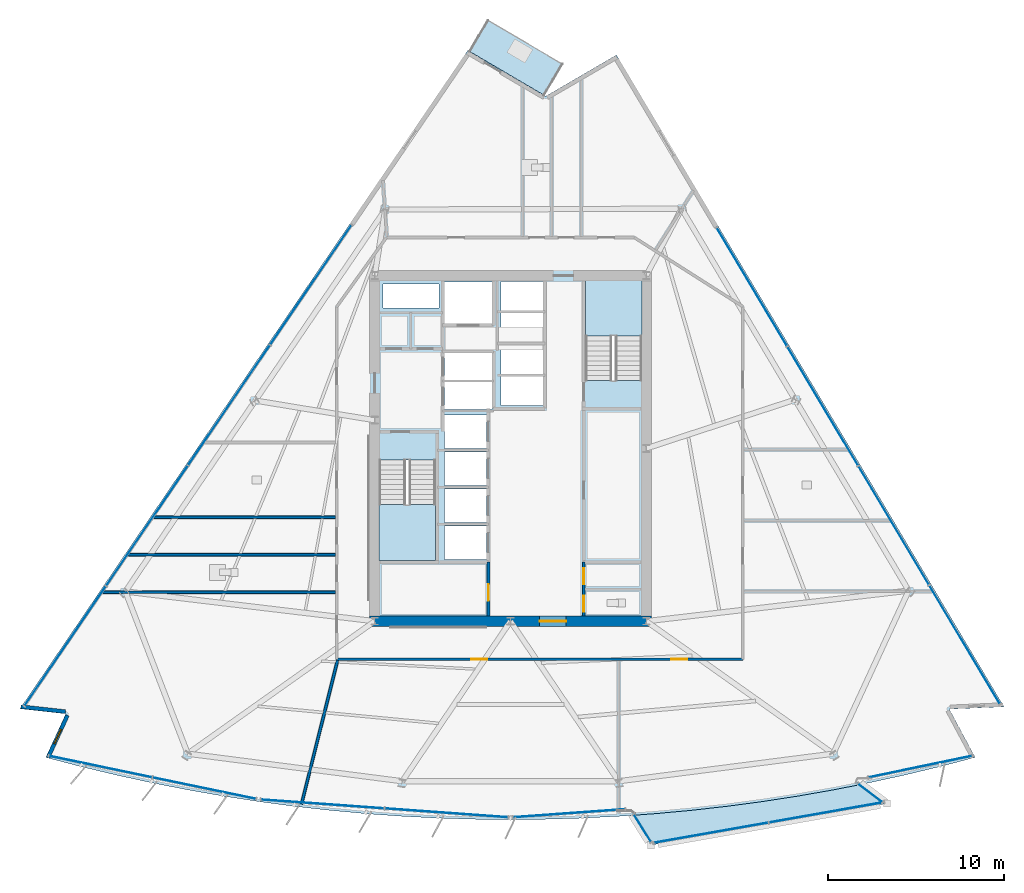
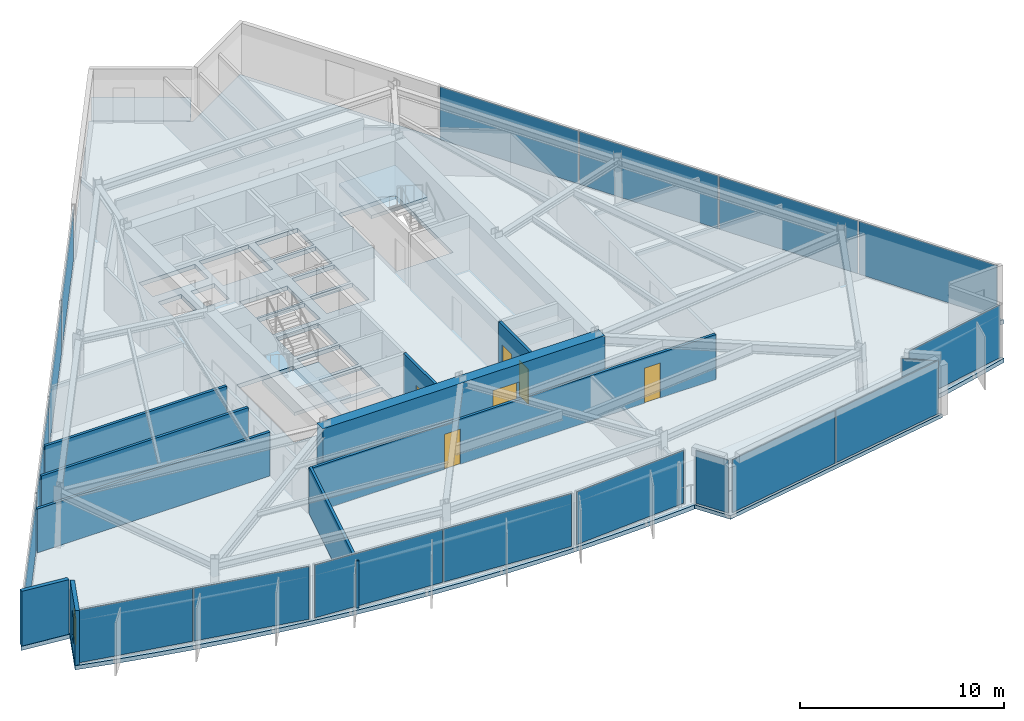
# One storey, part 7 of 15: 18 plates, 10 walls, 6 doors, 5 slabs, 1 window, 7 openings, 11 elements without a shape of their own.
"""IFC4 building model written with IfcOpenShell, lengths in metres."""

from ifc_helpers import new_model, si_unit, direction, frame, frame_2d, origin, origin_2d, place, context, subcontext, project, spatial, polyline, rectangle, outline, extrude, material, layer, layer_set, type_object, element, fill, aggregate, save


model = new_model("IFC4")

# Units and contexts
model_context = context("Model", 3, precision=1e-05, world=origin(), true_north=direction((0.0, 1.0)))
body_context = subcontext(model_context, "Body", "Model", "MODEL_VIEW")
ifc_project = project(units=[si_unit("LENGTHUNIT", "METRE"), si_unit("AREAUNIT", "SQUARE_METRE"), si_unit("VOLUMEUNIT", "CUBIC_METRE"), si_unit("PLANEANGLEUNIT", "RADIAN"), si_unit("MASSUNIT", "GRAM", prefix="KILO")], contexts=[model_context])

# Site, building, storey
site_placement = place(None, origin())
site = spatial("IfcSite", under=ifc_project, at=site_placement, CompositionType="ELEMENT")
building_placement = place(site_placement, origin())
building = spatial("IfcBuilding", under=site, at=building_placement, Name="Savorim Split Tower", CompositionType="ELEMENT")
storey_placement = place(building_placement, frame((0.0, 0.0, 125.699951171875)))
storey = spatial("IfcBuildingStorey", under=building, at=storey_placement, Name="L33", CompositionType="ELEMENT", Elevation=125.699951171875)

# Curtain wall, plates
ifc_material_1 = material(Name="Dark Ceramic-Fritted Insulated Glass", Category="glass")
curtain_wall_type_1 = type_object("IfcCurtainWallType", Name="CW-TWR-FRIT-A", PredefinedType="NOTDEFINED", material=ifc_material_1)
curtain_wall_1_placement = place(storey_placement, origin())
curtain_wall_1 = element("IfcCurtainWall", 1, at=curtain_wall_1_placement, inside=storey, type_object=curtain_wall_type_1, Name="L33 Curtain Wall CW-L33-SF1A", PredefinedType="NOTDEFINED")
ifc_layer_1 = layer(ifc_material_1, 0.028076171875)
ifc_layer_set_1 = layer_set([ifc_layer_1], Name="CWP-FRITA-28")
plate_type_1 = type_object("IfcPlateType", Name="CWP-FRITA-28", PredefinedType="CURTAIN_PANEL", material=ifc_layer_set_1)
plate_1_placement = place(storey_placement, frame((-23.2548828125, -17.645751953125, 0.05517578125), z_axis=(0.0, 0.0, 1.0), x_axis=(0.979133868491, -0.203216307351, 0.0)))
plate_1 = element("IfcPlate", 2, at=plate_1_placement, type_object=plate_type_1, Name="CW-02 panel 1.1", PredefinedType="CURTAIN_PANEL", context=body_context, shape_type="SweptSolid", body=[
    extrude(rectangle(XDim=5.952880859375, YDim=0.028076171875, at=origin_2d()), origin(), (0.0, 0.0, 1.0), 3.169921875),
])
plate_2_placement = place(storey_placement, frame((-17.362548828125, -18.86865234375, 0.05517578125), z_axis=(0.0, 0.0, 1.0), x_axis=(0.979133868491, -0.203216307351, 0.0)))
plate_2 = element("IfcPlate", 3, at=plate_2_placement, type_object=plate_type_1, Name="CW-02 panel 2.1", PredefinedType="CURTAIN_PANEL", context=body_context, shape_type="SweptSolid", body=[
    extrude(rectangle(XDim=5.952880859375, YDim=0.028076171875, at=origin_2d()), origin(), (0.0, 0.0, 1.0), 3.169921875),
])
aggregate(curtain_wall_1, [plate_1, plate_2])

curtain_wall_2_placement = place(storey_placement, origin())
curtain_wall_2 = element("IfcCurtainWall", 4, at=curtain_wall_2_placement, inside=storey, type_object=curtain_wall_type_1, Name="L33 Curtain Wall CW-L33-SF2A", PredefinedType="NOTDEFINED")
plate_3_placement = place(storey_placement, frame((-10.65869140625, -19.766357421875, 0.05517578125), z_axis=(0.0, 0.0, 1.0), x_axis=(0.997436369916, -0.071558982453, 0.0)))
plate_3 = element("IfcPlate", 5, at=plate_3_placement, type_object=plate_type_1, Name="CW-02 panel 1.1", PredefinedType="CURTAIN_PANEL", context=body_context, shape_type="SweptSolid", body=[
    extrude(rectangle(XDim=6.976318359375, YDim=0.028076171875, at=origin_2d()), origin(), (0.0, 0.0, 1.0), 3.169921875),
])
plate_4_placement = place(storey_placement, frame((-3.63525390625, -20.27001953125, 0.05517578125), z_axis=(0.0, 0.0, 1.0), x_axis=(0.997436369916, -0.071558982453, 0.0)))
plate_4 = element("IfcPlate", 6, at=plate_4_placement, type_object=plate_type_1, Name="CW-02 panel 2.1", PredefinedType="CURTAIN_PANEL", context=body_context, shape_type="SweptSolid", body=[
    extrude(rectangle(XDim=6.976318359375, YDim=0.028076171875, at=origin_2d()), origin(), (0.0, 0.0, 1.0), 3.169921875),
])
aggregate(curtain_wall_2, [plate_3, plate_4])

# Curtain wall, plate
curtain_wall_3_placement = place(storey_placement, origin())
curtain_wall_3 = element("IfcCurtainWall", 7, at=curtain_wall_3_placement, inside=storey, type_object=curtain_wall_type_1, Name="L33 Curtain Wall CW-L33-SF3A", PredefinedType="NOTDEFINED")
plate_5_placement = place(storey_placement, frame((3.314453125, -20.293212890625, 0.05517578125), z_axis=(0.0, 0.0, 1.0), x_axis=(0.997436108021, 0.071562632816, 0.0)))
plate_5 = element("IfcPlate", 8, at=plate_5_placement, type_object=plate_type_1, Name="CW-02 panel 1.1", PredefinedType="CURTAIN_PANEL", context=body_context, shape_type="SweptSolid", body=[
    extrude(rectangle(XDim=6.332763671875, YDim=0.028076171875, at=origin_2d()), origin(), (0.0, 0.0, 1.0), 3.169921875),
])
aggregate(curtain_wall_3, [plate_5])

curtain_wall_4_placement = place(storey_placement, origin())
curtain_wall_4 = element("IfcCurtainWall", 9, at=curtain_wall_4_placement, inside=storey, type_object=curtain_wall_type_1, Name="L33 Curtain Wall CW-L33-SF4A", PredefinedType="NOTDEFINED")
plate_6_placement = place(storey_placement, frame((23.23974609375, -17.648681640625, 0.05517578125), z_axis=(0.0, 0.0, 1.0), x_axis=(0.979135126967, 0.203210243687, 0.0)))
plate_6 = element("IfcPlate", 10, at=plate_6_placement, type_object=plate_type_1, Name="CW-02 panel 1.1", PredefinedType="CURTAIN_PANEL", context=body_context, shape_type="SweptSolid", body=[
    extrude(rectangle(XDim=5.98388671875, YDim=0.028076171875, at=origin_2d()), origin(), (0.0, 0.0, 1.0), 3.169921875),
])
aggregate(curtain_wall_4, [plate_6])

# Curtain wall, plates
curtain_wall_5_placement = place(storey_placement, origin())
curtain_wall_5 = element("IfcCurtainWall", 11, at=curtain_wall_5_placement, inside=storey, type_object=curtain_wall_type_1, Name="L33 Curtain Wall CW-L33-EAST", PredefinedType="NOTDEFINED")
plate_7_placement = place(storey_placement, frame((25.752197265625, -10.72705078125, 0.05517578125), z_axis=(0.0, 0.0, 1.0), x_axis=(-0.51109301502, 0.859525409745, 0.0)))
plate_7 = element("IfcPlate", 12, at=plate_7_placement, type_object=plate_type_1, Name="CW-02 panel 1.1", PredefinedType="CURTAIN_PANEL", context=body_context, shape_type="SweptSolid", body=[
    extrude(rectangle(XDim=7.777587890625, YDim=0.028076171875, at=origin_2d()), origin(), (0.0, 0.0, 1.0), 3.169921875),
])
plate_8_placement = place(storey_placement, frame((21.735595703125, -3.972412109375, 0.05517578125), z_axis=(0.0, 0.0, 1.0), x_axis=(-0.51109301502, 0.859525409745, 0.0)))
plate_8 = element("IfcPlate", 13, at=plate_8_placement, type_object=plate_type_1, Name="CW-02 panel 2.1", PredefinedType="CURTAIN_PANEL", context=body_context, shape_type="SweptSolid", body=[
    extrude(rectangle(XDim=7.81005859375, YDim=0.028076171875, at=origin_2d()), origin(), (0.0, 0.0, 1.0), 3.169921875),
])
plate_9_placement = place(storey_placement, frame((17.710693359375, 2.79638671875, 0.05517578125), z_axis=(0.0, 0.0, 1.0), x_axis=(-0.51109301502, 0.859525409745, 0.0)))
plate_9 = element("IfcPlate", 14, at=plate_9_placement, type_object=plate_type_1, Name="CW-02 panel 3.1", PredefinedType="CURTAIN_PANEL", context=body_context, shape_type="SweptSolid", body=[
    extrude(rectangle(XDim=7.81005859375, YDim=0.028076171875, at=origin_2d()), origin(), (0.0, 0.0, 1.0), 3.169921875),
])
plate_10_placement = place(storey_placement, frame((13.6943359375, 9.55126953125, 0.05517578125), z_axis=(0.0, 0.0, 1.0), x_axis=(-0.51109301502, 0.859525409745, 0.0)))
plate_10 = element("IfcPlate", 15, at=plate_10_placement, type_object=plate_type_1, Name="CW-02 panel 4.1", PredefinedType="CURTAIN_PANEL", context=body_context, shape_type="SweptSolid", body=[
    extrude(rectangle(XDim=7.777587890625, YDim=0.028076171875, at=origin_2d()), origin(), (0.0, 0.0, 1.0), 3.169921875),
])
aggregate(curtain_wall_5, [plate_7, plate_8, plate_9, plate_10])

curtain_wall_6_placement = place(storey_placement, origin())
curtain_wall_6 = element("IfcCurtainWall", 16, at=curtain_wall_6_placement, inside=storey, type_object=curtain_wall_type_1, Name="L33 Curtain Wall CW-L33-WEST", PredefinedType="NOTDEFINED")
plate_11_placement = place(storey_placement, frame((-11.3193359375, 9.67529296875, 0.05517578125), z_axis=(0.0, 0.0, 1.0), x_axis=(-0.562466669628, -0.826819959579, 0.0)))
plate_11 = element("IfcPlate", 17, at=plate_11_placement, type_object=plate_type_1, Name="CW-02 panel 1.1", PredefinedType="CURTAIN_PANEL", context=body_context, shape_type="SweptSolid", body=[
    extrude(rectangle(XDim=8.174072265625, YDim=0.028076171875, at=origin_2d()), origin(), (0.0, 0.0, 1.0), 3.169921875),
])
plate_12_placement = place(storey_placement, frame((-15.962646484375, 2.849609375, 0.05517578125), z_axis=(0.0, 0.0, 1.0), x_axis=(-0.562466669628, -0.826819959579, 0.0)))
plate_12 = element("IfcPlate", 18, at=plate_12_placement, type_object=plate_type_1, Name="CW-02 panel 2.1", PredefinedType="CURTAIN_PANEL", context=body_context, shape_type="SweptSolid", body=[
    extrude(rectangle(XDim=8.20654296875, YDim=0.028076171875, at=origin_2d()), origin(), (0.0, 0.0, 1.0), 3.169921875),
])
plate_13_placement = place(storey_placement, frame((-20.615234375, -3.989501953125, 0.05517578125), z_axis=(0.0, 0.0, 1.0), x_axis=(-0.562466669628, -0.826819959579, 0.0)))
plate_13 = element("IfcPlate", 19, at=plate_13_placement, type_object=plate_type_1, Name="CW-02 panel 3.1", PredefinedType="CURTAIN_PANEL", context=body_context, shape_type="SweptSolid", body=[
    extrude(rectangle(XDim=8.20654296875, YDim=0.028076171875, at=origin_2d()), origin(), (0.0, 0.0, 1.0), 3.169921875),
])
plate_14_placement = place(storey_placement, frame((-25.258544921875, -10.815185546875, 0.05517578125), z_axis=(0.0, 0.0, 1.0), x_axis=(-0.562466669628, -0.826819959579, 0.0)))
plate_14 = element("IfcPlate", 20, at=plate_14_placement, type_object=plate_type_1, Name="CW-02 panel 4.1", PredefinedType="CURTAIN_PANEL", context=body_context, shape_type="SweptSolid", body=[
    extrude(rectangle(XDim=8.174072265625, YDim=0.028076171875, at=origin_2d()), origin(), (0.0, 0.0, 1.0), 3.169921875),
])
aggregate(curtain_wall_6, [plate_11, plate_12, plate_13, plate_14])

curtain_wall_type_2 = type_object("IfcCurtainWallType", Name="CW-BAY-LOUNGE", PredefinedType="NOTDEFINED", material=ifc_material_1)
curtain_wall_7_placement = place(storey_placement, origin())
curtain_wall_7 = element("IfcCurtainWall", 21, at=curtain_wall_7_placement, inside=storey, type_object=curtain_wall_type_2, Name="L33 Curtain Wall CW-L33-BAYF", PredefinedType="NOTDEFINED")
ifc_material_2 = material(Name="Low-E Operable Double Glazing", Category="glass")
ifc_layer_2 = layer(ifc_material_2, 0.031982421875)
ifc_layer_set_2 = layer_set([ifc_layer_2], Name="CWP-POD-32")
plate_type_2 = type_object("IfcPlateType", Name="CWP-POD-32", PredefinedType="CURTAIN_PANEL", material=ifc_layer_set_2)
plate_15_placement = place(storey_placement, frame((11.37060546875, -21.397705078125, 0.05517578125), z_axis=(0.0, 0.0, 1.0), x_axis=(0.984798033566, 0.173703290368, 0.0)))
plate_15 = element("IfcPlate", 22, at=plate_15_placement, type_object=plate_type_2, Name="CW-04 panel 1.1", PredefinedType="CURTAIN_PANEL", context=body_context, shape_type="SweptSolid", body=[
    extrude(rectangle(XDim=6.57763671875, YDim=0.031982421875, at=origin_2d()), origin(), (0.0, 0.0, 1.0), 3.169921875),
])
plate_16_placement = place(storey_placement, frame((17.912353515625, -20.24365234375, 0.05517578125), z_axis=(0.0, 0.0, 1.0), x_axis=(0.984798033566, 0.173703290368, 0.0)))
plate_16 = element("IfcPlate", 23, at=plate_16_placement, type_object=plate_type_2, Name="CW-04 panel 2.1", PredefinedType="CURTAIN_PANEL", context=body_context, shape_type="SweptSolid", body=[
    extrude(rectangle(XDim=6.57763671875, YDim=0.031982421875, at=origin_2d()), origin(), (0.0, 0.0, 1.0), 3.169921875),
])
aggregate(curtain_wall_7, [plate_15, plate_16])

# Curtain wall, plate
curtain_wall_8_placement = place(storey_placement, origin())
curtain_wall_8 = element("IfcCurtainWall", 24, at=curtain_wall_8_placement, inside=storey, type_object=curtain_wall_type_2, Name="L33 Curtain Wall CW-L33-BAYW", PredefinedType="NOTDEFINED")
plate_17_placement = place(storey_placement, frame((7.483154296875, -21.139892578125, 0.05517578125), z_axis=(0.0, 0.0, 1.0), x_axis=(0.531434504875, -0.847099384387, 0.0)))
plate_17 = element("IfcPlate", 25, at=plate_17_placement, type_object=plate_type_2, Name="CW-04 panel 1.1", PredefinedType="CURTAIN_PANEL", context=body_context, shape_type="SweptSolid", body=[
    extrude(rectangle(XDim=1.81005859375, YDim=0.031982421875, at=origin_2d()), origin(), (0.0, 0.0, 1.0), 3.169921875),
])
aggregate(curtain_wall_8, [plate_17])

curtain_wall_9_placement = place(storey_placement, origin())
curtain_wall_9 = element("IfcCurtainWall", 26, at=curtain_wall_9_placement, inside=storey, type_object=curtain_wall_type_2, Name="L33 Curtain Wall CW-L33-BAYE", PredefinedType="NOTDEFINED")
plate_18_placement = place(storey_placement, frame((20.3955078125, -19.140869140625, 0.05517578125), z_axis=(0.0, 0.0, 1.0), x_axis=(-0.797192293395, 0.603725473499, 0.0)))
plate_18 = element("IfcPlate", 27, at=plate_18_placement, type_object=plate_type_2, Name="CW-04 panel 1.1", PredefinedType="CURTAIN_PANEL", context=body_context, shape_type="SweptSolid", body=[
    extrude(rectangle(XDim=1.704833984375, YDim=0.031982421875, at=origin_2d()), origin(), (0.0, 0.0, 1.0), 3.169921875),
])
aggregate(curtain_wall_9, [plate_18])

# Slabs
ifc_material_3 = material(Name="Concrete C50/60", Category="concrete")
ifc_layer_3 = layer(ifc_material_3, 0.219970703125)
ifc_layer_set_3 = layer_set([ifc_layer_3], Name="SLB-BAL-220")
slab_type_1 = type_object("IfcSlabType", Name="SLB-BAL-220", PredefinedType="FLOOR", material=ifc_layer_set_3)
slab_1_placement = place(storey_placement, frame((0.0, 0.0, -0.219970703125)))
element("IfcSlab", 28, at=slab_1_placement, inside=storey, type_object=slab_type_1, Name="L33 Cantilevered Shared Kitchen Lounge Slab", PredefinedType="FLOOR", context=body_context, shape_type="SweptSolid", body=[
    extrude(outline(polyline([(19.912841796875, -18.64990234375), (18.358642578125, -18.955810546875), (16.33837890625, -19.310791015625), (14.31103515625, -19.62451171875), (12.277587890625, -19.896484375), (10.2392578125, -20.126953125), (8.196533203125, -20.315673828125), (6.906005859375, -20.408203125), (7.967041015625, -22.099609375), (21.3505859375, -19.73876953125), (19.912841796875, -18.64990234375)])), origin(), (0.0, 0.0, 1.0), 0.219970703125),
])
slab_2_placement = place(storey_placement, frame((0.0, 0.0, -0.219970703125)))
element("IfcSlab", 29, at=slab_2_placement, inside=storey, type_object=slab_type_1, Name="L33 Notched Corner Planted Tree Balcony Slab", PredefinedType="FLOOR", context=body_context, shape_type="SweptSolid", body=[
    extrude(outline(polyline([(-2.314697265625, 22.9130859375), (1.894287109375, 20.439208984375), (2.930419921875, 22.202392578125), (-1.278564453125, 24.676025390625), (-2.314697265625, 22.9130859375)])), origin(), (0.0, 0.0, 1.0), 0.219970703125),
])

# Stair, slab
stair_type = type_object("IfcStairType", Name="STR-DOG-3600", PredefinedType="HALF_TURN_STAIR", material=ifc_material_3)
stair_1_placement = place(storey_placement, origin())
stair_1 = element("IfcStair", 30, at=stair_1_placement, inside=storey, type_object=stair_type, Name="L33 Core Protected Exit Stair ST-1", PredefinedType="HALF_TURN_STAIR")
ifc_layer_4 = layer(ifc_material_3, 0.199951171875)
ifc_layer_set_4 = layer_set([ifc_layer_4], Name="SLB-LND-200")
slab_type_2 = type_object("IfcSlabType", Name="SLB-LND-200", PredefinedType="LANDING", material=ifc_layer_set_4)
slab_3_placement = place(storey_placement, frame((0.0, 0.0, 1.60009765625)))
slab_3 = element("IfcSlab", 31, at=slab_3_placement, type_object=slab_type_2, Name="ST-1 landing 1", PredefinedType="LANDING", context=body_context, shape_type="SweptSolid", body=[
    extrude(outline(polyline([(-7.449951171875, -2.77001953125), (-7.449951171875, -5.949951171875), (-4.25, -5.949951171875), (-4.25, -2.77001953125), (-7.449951171875, -2.77001953125)])), origin(), (0.0, 0.0, 1.0), 0.199951171875),
])
aggregate(stair_1, [slab_3])

stair_2_placement = place(storey_placement, origin())
stair_2 = element("IfcStair", 32, at=stair_2_placement, inside=storey, type_object=stair_type, Name="L33 Core Protected Exit Stair ST-2", PredefinedType="HALF_TURN_STAIR")
slab_4_placement = place(storey_placement, frame((0.0, 0.0, 1.60009765625)))
slab_4 = element("IfcSlab", 33, at=slab_4_placement, type_object=slab_type_2, Name="ST-2 landing 1", PredefinedType="LANDING", context=body_context, shape_type="SweptSolid", body=[
    extrude(outline(polyline([(7.449951171875, 6.77001953125), (7.449951171875, 9.949951171875), (4.25, 9.949951171875), (4.25, 6.77001953125), (7.449951171875, 6.77001953125)])), origin(), (0.0, 0.0, 1.0), 0.199951171875),
])
aggregate(stair_2, [slab_4])

# Slab
ifc_layer_5 = layer(ifc_material_3, 0.25)
ifc_layer_set_5 = layer_set([ifc_layer_5], Name="SLB-TWR-250")
slab_type_3 = type_object("IfcSlabType", Name="SLB-TWR-250", PredefinedType="FLOOR", material=ifc_layer_set_5)
slab_5_placement = place(storey_placement, frame((0.0, 0.0, -0.25)))
element("IfcSlab", 34, at=slab_5_placement, inside=storey, type_object=slab_type_3, Name="L33 Structural Floor Slab", PredefinedType="FLOOR", context=body_context, shape_type="SweptSolid", body=[
    extrude(outline(polyline([(-26.355224609375, -17.124755859375), (-24.37060546875, -17.643798828125), (-22.375732421875, -18.1220703125), (-20.37158203125, -18.5595703125), (-18.358642578125, -18.955810546875), (-16.33837890625, -19.310791015625), (-14.31103515625, -19.62451171875), (-12.277587890625, -19.896484375), (-10.2392578125, -20.126953125), (-8.196533203125, -20.315673828125), (-6.150390625, -20.46240234375), (-4.101806640625, -20.5673828125), (-2.05126953125, -20.630126953125), (0.0, -20.651123046875), (2.05126953125, -20.630126953125), (4.101806640625, -20.5673828125), (6.150390625, -20.46240234375), (8.196533203125, -20.315673828125), (10.2392578125, -20.126953125), (12.277587890625, -19.896484375), (14.31103515625, -19.62451171875), (16.33837890625, -19.310791015625), (18.358642578125, -18.955810546875), (20.37158203125, -18.5595703125), (22.375732421875, -18.1220703125), (24.37060546875, -17.643798828125), (26.355224609375, -17.124755859375), (24.88525390625, -14.38525390625), (27.988525390625, -14.25341796875), (6.0078125, 22.712890625), (1.9951171875, 20.374267578125), (-2.420654296875, 22.969482421875), (-27.81689453125, -14.362548828125), (-25.21923828125, -14.652587890625), (-26.355224609375, -17.124755859375)]), holes=[polyline([(-7.449951171875, -0.25390625), (-7.449951171875, -5.949951171875), (-4.25, -5.949951171875), (-4.25, -0.25390625), (-7.449951171875, -0.25390625)]), polyline([(7.449951171875, 4.25390625), (7.449951171875, 9.949951171875), (4.25, 9.949951171875), (4.25, 4.25390625), (7.449951171875, 4.25390625)]), polyline([(-3.75, -5.89990234375), (-1.35009765625, -5.89990234375), (-1.35009765625, -4.0), (-3.75, -4.0), (-3.75, -5.89990234375)]), polyline([(-3.75, -3.800048828125), (-1.35009765625, -3.800048828125), (-1.35009765625, -1.89990234375), (-3.75, -1.89990234375), (-3.75, -3.800048828125)]), polyline([(-3.75, -1.699951171875), (-1.35009765625, -1.699951171875), (-1.35009765625, 0.199951171875), (-3.75, 0.199951171875), (-3.75, -1.699951171875)]), polyline([(-3.75, 0.39990234375), (-1.35009765625, 0.39990234375), (-1.35009765625, 2.300048828125), (-3.75, 2.300048828125), (-3.75, 0.39990234375)]), polyline([(-0.550048828125, 2.830078125), (1.85009765625, 2.830078125), (1.85009765625, 4.469970703125), (-0.550048828125, 4.469970703125), (-0.550048828125, 2.830078125)]), polyline([(-0.550048828125, 4.6298828125), (1.85009765625, 4.6298828125), (1.85009765625, 6.27001953125), (-0.550048828125, 6.27001953125), (-0.550048828125, 4.6298828125)]), polyline([(-0.550048828125, 6.429931640625), (1.85009765625, 6.429931640625), (1.85009765625, 8.070068359375), (-0.550048828125, 8.070068359375), (-0.550048828125, 6.429931640625)]), polyline([(-0.550048828125, 8.22998046875), (1.85009765625, 8.22998046875), (1.85009765625, 9.8701171875), (-0.550048828125, 9.8701171875), (-0.550048828125, 8.22998046875)]), polyline([(-3.75, 2.60009765625), (-1.050048828125, 2.60009765625), (-1.050048828125, 4.159912109375), (-3.75, 4.159912109375), (-3.75, 2.60009765625)]), polyline([(-3.75, 4.280029296875), (-1.050048828125, 4.280029296875), (-1.050048828125, 5.840087890625), (-3.75, 5.840087890625), (-3.75, 4.280029296875)]), polyline([(-3.75, 7.449951171875), (-0.949951171875, 7.449951171875), (-0.949951171875, 9.85009765625), (-3.75, 9.85009765625), (-3.75, 7.449951171875)]), polyline([(-7.219970703125, 6.320068359375), (-5.919921875, 6.320068359375), (-5.919921875, 7.820068359375), (-7.219970703125, 7.820068359375), (-7.219970703125, 6.320068359375)]), polyline([(-5.3798828125, 6.320068359375), (-4.050048828125, 6.320068359375), (-4.050048828125, 7.820068359375), (-5.3798828125, 7.820068359375), (-5.3798828125, 6.320068359375)]), polyline([(-7.219970703125, 8.360107421875), (-4.050048828125, 8.360107421875), (-4.050048828125, 9.719970703125), (-7.219970703125, 9.719970703125), (-7.219970703125, 8.360107421875)])]), origin(), (0.0, 0.0, 1.0), 0.25),
])

# Wall, opening, door
ifc_material_4 = material(Name="Concrete C60/75", Category="concrete")
ifc_layer_6 = layer(ifc_material_4, 0.60009765625)
ifc_layer_set_6 = layer_set([ifc_layer_6], Name="WAL-COR-SH600")
wall_type_1 = type_object("IfcWallType", Name="WAL-COR-SH600", PredefinedType="SHEAR", material=ifc_layer_set_6)
wall_1_placement = place(storey_placement, frame((-8.0, -9.39990234375, 0.0), z_axis=(0.0, 0.0, 1.0), x_axis=(1.0, 0.0, 0.0)))
wall_1 = element("IfcWall", 35, at=wall_1_placement, inside=storey, type_object=wall_type_1, Name="L33 Offset Core South Shear Wall", PredefinedType="SHEAR", context=body_context, shape_type="SweptSolid", body=[
    extrude(rectangle(XDim=16.0, YDim=0.60009765625, at=frame_2d((8.0, 0.0))), origin(), (0.0, 0.0, 1.0), 3.280029296875),
])
opening_1_placement = place(wall_1_placement, frame((9.64990234375, 0.0, 0.0)))
opening_1 = element("IfcOpeningElement", 36, at=opening_1_placement, cuts=wall_1, Name="Opening DI-02", PredefinedType="OPENING", context=body_context, shape_type="SweptSolid", body=[
    extrude(rectangle(XDim=1.5, YDim=2.199951171875, at=frame_2d((0.75, 1.10009765625))), frame((0.0, 0.31005859375, 0.0), z_axis=(0.0, -1.0, 0.0), x_axis=(1.0, 0.0, 0.0)), (0.0, 0.0, 1.0), 0.6201171875),
])
ifc_material_5 = material(Name="Timber Fire Door Leaf", Category="wood")
door_type_1 = type_object("IfcDoorType", Name="DOR-DBL-1500", OperationType="NOTDEFINED", PredefinedType="DOOR", material=ifc_material_5)
door_1_placement = place(opening_1_placement, origin())
door_1 = element("IfcDoor", 37, at=door_1_placement, inside=storey, type_object=door_type_1, Name="DOR-L33-COR-LLOB - L33 Lift Lobby Main Rated Door", OperationType="DOUBLE_DOOR_SINGLE_SWING", OverallHeight=2.199951171875, OverallWidth=1.5, PredefinedType="DOOR", context=body_context, shape_type="SweptSolid", body=[
    extrude(rectangle(XDim=1.5, YDim=2.199951171875, at=frame_2d((0.75, 1.10009765625))), frame((0.0, 0.02490234375, 0.0), z_axis=(0.0, -1.0, 0.0), x_axis=(1.0, 0.0, 0.0)), (0.0, 0.0, 1.0), 0.050048828125),
])
fill(opening_1, door_1)

# Wall
ifc_material_6 = material(Name="Precast concrete C40/50", Category="concrete")
ifc_layer_7 = layer(ifc_material_6, 0.219970703125)
ifc_layer_set_7 = layer_set([ifc_layer_7], Name="WAL-EXT-CRN220")
wall_type_2 = type_object("IfcWallType", Name="WAL-EXT-CRN220", PredefinedType="SOLIDWALL", material=ifc_layer_set_7)
wall_2_placement = place(storey_placement, frame((-25.24560546875, -14.52880859375, 0.0), z_axis=(0.0, 0.0, 1.0), x_axis=(-0.993831926713, 0.110896805395, 0.0)))
element("IfcWall", 38, at=wall_2_placement, inside=storey, type_object=wall_type_2, Name="L33 Notched Corner Facade Wall SW1", PredefinedType="SOLIDWALL", context=body_context, shape_type="SweptSolid", body=[
    extrude(rectangle(XDim=2.533935546875, YDim=0.219970703125, at=frame_2d((1.26708984375, 0.0))), origin(), (0.0, 0.0, 1.0), 3.280029296875),
])

# Wall, opening, window
wall_3_placement = place(storey_placement, frame((-26.2294921875, -17.138671875, 0.0), z_axis=(0.0, 0.0, 1.0), x_axis=(0.417498108462, 0.908677791866, 0.0)))
wall_3 = element("IfcWall", 39, at=wall_3_placement, inside=storey, type_object=wall_type_2, Name="L33 Notched Corner Facade Wall SW", PredefinedType="SOLIDWALL", context=body_context, shape_type="SweptSolid", body=[
    extrude(rectangle(XDim=2.640869140625, YDim=0.219970703125, at=frame_2d((1.3203125, 0.0))), origin(), (0.0, 0.0, 1.0), 3.280029296875),
])
opening_2_placement = place(wall_3_placement, frame((0.870361328125, 0.0, 0.6201171875)))
opening_2 = element("IfcOpeningElement", 40, at=opening_2_placement, cuts=wall_3, Name="Opening WN-10", PredefinedType="OPENING", context=body_context, shape_type="SweptSolid", body=[
    extrude(rectangle(XDim=0.89990234375, YDim=1.60009765625, at=frame_2d((0.449951171875, 0.800048828125))), frame((0.0, 0.119873046875, 0.0), z_axis=(0.0, -1.0, 0.0), x_axis=(1.0, 0.0, 0.0)), (0.0, 0.0, 1.0), 0.239990234375),
])
window_type = type_object("IfcWindowType", Name="WIN-TWR-900x1600", PartitioningType="SINGLE_PANEL", PredefinedType="WINDOW", material=ifc_material_2)
window_placement = place(opening_2_placement, origin())
window = element("IfcWindow", 41, at=window_placement, inside=storey, type_object=window_type, Name="L33 Operable Corner Window SW", OverallHeight=1.60009765625, OverallWidth=0.89990234375, PartitioningType="SINGLE_PANEL", PredefinedType="WINDOW", context=body_context, shape_type="SweptSolid", body=[
    extrude(rectangle(XDim=0.89990234375, YDim=1.60009765625, at=frame_2d((0.449951171875, 0.800048828125))), frame((0.0, 0.030029296875, 0.0), z_axis=(0.0, -1.0, 0.0), x_axis=(1.0, 0.0, 0.0)), (0.0, 0.0, 1.0), 0.06005859375),
])
fill(opening_2, window)

# Wall, opening, door
ifc_material_7 = material(Name="Acoustic Gypsum Partition Board")
ifc_layer_8 = layer(ifc_material_7, 0.14990234375)
ifc_layer_set_8 = layer_set([ifc_layer_8], Name="WAL-PAR-150")
wall_type_3 = type_object("IfcWallType", Name="WAL-PAR-150", PredefinedType="PARTITIONING", material=ifc_layer_set_8)
wall_4_placement = place(storey_placement, frame((-1.25, -9.094970703125, 0.0), z_axis=(0.0, 0.0, 1.0), x_axis=(0.0, 1.0, 0.0)))
wall_4 = element("IfcWall", 42, at=wall_4_placement, inside=storey, type_object=wall_type_3, Name="L33 Partition W-L33-KLOB-W", PredefinedType="PARTITIONING", context=body_context, shape_type="SweptSolid", body=[
    extrude(rectangle(XDim=3.044921875, YDim=0.14990234375, at=frame_2d((1.5224609375, 0.0))), origin(), (0.0, 0.0, 1.0), 3.280029296875),
])
opening_3_placement = place(wall_4_placement, frame((0.844970703125, 0.0, 0.0)))
opening_3 = element("IfcOpeningElement", 43, at=opening_3_placement, cuts=wall_4, Name="Opening DI-05", PredefinedType="OPENING", context=body_context, shape_type="SweptSolid", body=[
    extrude(rectangle(XDim=0.949951171875, YDim=2.10009765625, at=frame_2d((0.47509765625, 1.050048828125))), frame((0.0, 0.0849609375, 0.0), z_axis=(0.0, -1.0, 0.0), x_axis=(1.0, 0.0, 0.0)), (0.0, 0.0, 1.0), 0.169921875),
])
door_type_2 = type_object("IfcDoorType", Name="DOR-FIR-950", OperationType="NOTDEFINED", PredefinedType="DOOR", material=ifc_material_5)
door_2_placement = place(opening_3_placement, origin())
door_2 = element("IfcDoor", 44, at=door_2_placement, inside=storey, type_object=door_type_2, Name="DR-L33-K3LIN - L33 Housekeeping Store Door", OperationType="SINGLE_SWING_LEFT", OverallHeight=2.10009765625, OverallWidth=0.949951171875, PredefinedType="DOOR", context=body_context, shape_type="SweptSolid", body=[
    extrude(rectangle(XDim=0.949951171875, YDim=2.10009765625, at=frame_2d((0.47509765625, 1.050048828125))), frame((0.0, 0.02490234375, 0.0), z_axis=(0.0, -1.0, 0.0), x_axis=(1.0, 0.0, 0.0)), (0.0, 0.0, 1.0), 0.050048828125),
])
fill(opening_3, door_2)

# Wall, openings, doors
wall_5_placement = place(storey_placement, frame((4.14990234375, -9.094970703125, 0.0), z_axis=(0.0, 0.0, 1.0), x_axis=(0.0, 1.0, 0.0)))
wall_5 = element("IfcWall", 45, at=wall_5_placement, inside=storey, type_object=wall_type_3, Name="L33 Partition W-L33-KLOB-E", PredefinedType="PARTITIONING", context=body_context, shape_type="SweptSolid", body=[
    extrude(rectangle(XDim=3.044921875, YDim=0.14990234375, at=frame_2d((1.5224609375, 0.0))), origin(), (0.0, 0.0, 1.0), 3.280029296875),
])
opening_4_placement = place(wall_5_placement, frame((0.2451171875, 0.0, 0.0)))
opening_4 = element("IfcOpeningElement", 46, at=opening_4_placement, cuts=wall_5, Name="Opening DI-11", PredefinedType="OPENING", context=body_context, shape_type="SweptSolid", body=[
    extrude(rectangle(XDim=0.89990234375, YDim=2.10009765625, at=frame_2d((0.449951171875, 1.050048828125))), frame((0.0, 0.0849609375, 0.0), z_axis=(0.0, -1.0, 0.0), x_axis=(1.0, 0.0, 0.0)), (0.0, 0.0, 1.0), 0.169921875),
])
opening_5_placement = place(wall_5_placement, frame((1.794921875, 0.0, 0.0)))
opening_5 = element("IfcOpeningElement", 47, at=opening_5_placement, cuts=wall_5, Name="Opening DI-06", PredefinedType="OPENING", context=body_context, shape_type="SweptSolid", body=[
    extrude(rectangle(XDim=0.89990234375, YDim=2.10009765625, at=frame_2d((0.449951171875, 1.050048828125))), frame((0.0, 0.0849609375, 0.0), z_axis=(0.0, -1.0, 0.0), x_axis=(1.0, 0.0, 0.0)), (0.0, 0.0, 1.0), 0.169921875),
])
door_type_3 = type_object("IfcDoorType", Name="DOR-FIR-900", OperationType="NOTDEFINED", PredefinedType="DOOR", material=ifc_material_5)
door_3_placement = place(opening_5_placement, origin())
door_3 = element("IfcDoor", 48, at=door_3_placement, inside=storey, type_object=door_type_3, Name="DR-L33-K3LCK - L33 Cleaning Store Door", OperationType="SINGLE_SWING_LEFT", OverallHeight=2.10009765625, OverallWidth=0.89990234375, PredefinedType="DOOR", context=body_context, shape_type="SweptSolid", body=[
    extrude(rectangle(XDim=0.89990234375, YDim=2.10009765625, at=frame_2d((0.449951171875, 1.050048828125))), frame((0.0, 0.02490234375, 0.0), z_axis=(0.0, -1.0, 0.0), x_axis=(1.0, 0.0, 0.0)), (0.0, 0.0, 1.0), 0.050048828125),
])
fill(opening_5, door_3)
ifc_material_8 = material(Name="Oak Veneer Acoustic Door")
door_type_4 = type_object("IfcDoorType", Name="DOR-WC-900", OperationType="NOTDEFINED", PredefinedType="DOOR", material=ifc_material_8)
door_4_placement = place(opening_4_placement, origin())
door_4 = element("IfcDoor", 49, at=door_4_placement, inside=storey, type_object=door_type_4, Name="DR-L33-K3AWC - L33 Core Accessible WC Door", OperationType="SINGLE_SWING_RIGHT", OverallHeight=2.10009765625, OverallWidth=0.89990234375, PredefinedType="DOOR", context=body_context, shape_type="SweptSolid", body=[
    extrude(rectangle(XDim=0.89990234375, YDim=2.10009765625, at=frame_2d((0.449951171875, 1.050048828125))), frame((0.0, 0.02490234375, 0.0), z_axis=(0.0, -1.0, 0.0), x_axis=(1.0, 0.0, 0.0)), (0.0, 0.0, 1.0), 0.050048828125),
])
fill(opening_4, door_4)

wall_6_placement = place(storey_placement, frame((13.179931640625, -11.56005859375, 0.0), z_axis=(0.0, 0.0, 1.0), x_axis=(-1.0, 0.0, 0.0)))
wall_6 = element("IfcWall", 50, at=wall_6_placement, inside=storey, type_object=wall_type_3, Name="L33 Partition W-L33-COR-06", PredefinedType="PARTITIONING", context=body_context, shape_type="SweptSolid", body=[
    extrude(rectangle(XDim=23.0400390625, YDim=0.14990234375, at=frame_2d((11.52001953125, 0.0))), origin(), (0.0, 0.0, 1.0), 2.705078125),
])
opening_6_placement = place(wall_6_placement, frame((14.497314453125, 0.0, 0.0)))
opening_6 = element("IfcOpeningElement", 51, at=opening_6_placement, cuts=wall_6, Name="Opening DI-06", PredefinedType="OPENING", context=body_context, shape_type="SweptSolid", body=[
    extrude(rectangle(XDim=0.89990234375, YDim=2.10009765625, at=frame_2d((0.449951171875, 1.050048828125))), frame((0.0, 0.0849609375, 0.0), z_axis=(0.0, -1.0, 0.0), x_axis=(1.0, 0.0, 0.0)), (0.0, 0.0, 1.0), 0.169921875),
])
opening_7_placement = place(wall_6_placement, frame((3.155517578125, 0.0, 0.0)))
opening_7 = element("IfcOpeningElement", 52, at=opening_7_placement, cuts=wall_6, Name="Opening DI-06", PredefinedType="OPENING", context=body_context, shape_type="SweptSolid", body=[
    extrude(rectangle(XDim=0.89990234375, YDim=2.10009765625, at=frame_2d((0.449951171875, 1.050048828125))), frame((0.0, 0.0849609375, 0.0), z_axis=(0.0, -1.0, 0.0), x_axis=(1.0, 0.0, 0.0)), (0.0, 0.0, 1.0), 0.169921875),
])
door_5_placement = place(opening_6_placement, origin())
door_5 = element("IfcDoor", 53, at=door_5_placement, inside=storey, type_object=door_type_3, Name="DR-L33-RM05 - L33 Co-Working Commons Entry Door", OperationType="SINGLE_SWING_RIGHT", OverallHeight=2.10009765625, OverallWidth=0.89990234375, PredefinedType="DOOR", context=body_context, shape_type="SweptSolid", body=[
    extrude(rectangle(XDim=0.89990234375, YDim=2.10009765625, at=frame_2d((0.449951171875, 1.050048828125))), frame((0.0, 0.02490234375, 0.0), z_axis=(0.0, -1.0, 0.0), x_axis=(1.0, 0.0, 0.0)), (0.0, 0.0, 1.0), 0.050048828125),
])
fill(opening_6, door_5)
door_6_placement = place(opening_7_placement, origin())
door_6 = element("IfcDoor", 54, at=door_6_placement, inside=storey, type_object=door_type_3, Name="DR-L33-RM06 - L33 Maker Workshop Entry Door", OperationType="SINGLE_SWING_LEFT", OverallHeight=2.10009765625, OverallWidth=0.89990234375, PredefinedType="DOOR", context=body_context, shape_type="SweptSolid", body=[
    extrude(rectangle(XDim=0.89990234375, YDim=2.10009765625, at=frame_2d((0.449951171875, 1.050048828125))), frame((0.0, 0.02490234375, 0.0), z_axis=(0.0, -1.0, 0.0), x_axis=(1.0, 0.0, 0.0)), (0.0, 0.0, 1.0), 0.050048828125),
])
fill(opening_7, door_6)

# Walls
wall_7_placement = place(storey_placement, frame((-9.919921875, -7.75341796875, 0.0), z_axis=(0.0, 0.0, 1.0), x_axis=(-1.0, 0.0, 0.0)))
element("IfcWall", 55, at=wall_7_placement, inside=storey, type_object=wall_type_3, Name="L33 Partition W-L33-PRAD10", PredefinedType="PARTITIONING", context=body_context, shape_type="SweptSolid", body=[
    extrude(rectangle(XDim=13.1953125, YDim=0.14990234375, at=frame_2d((6.59765625, 0.0))), origin(), (0.0, 0.0, 1.0), 2.635009765625),
])
wall_8_placement = place(storey_placement, frame((-9.808349609375, -11.61669921875, 0.0), z_axis=(0.0, 0.0, 1.0), x_axis=(-0.242952318764, -0.970038231622, 0.0)))
element("IfcWall", 56, at=wall_8_placement, inside=storey, type_object=wall_type_3, Name="L33 Partition W-L33-SUB03", PredefinedType="PARTITIONING", context=body_context, shape_type="SweptSolid", body=[
    extrude(rectangle(XDim=8.408935546875, YDim=0.14990234375, at=frame_2d((4.20458984375, 0.0))), origin(), (0.0, 0.0, 1.0), 2.81494140625),
])
wall_9_placement = place(storey_placement, frame((-9.919921875, -3.508544921875, 0.0), z_axis=(0.0, 0.0, 1.0), x_axis=(-1.0, 0.0, 0.0)))
element("IfcWall", 57, at=wall_9_placement, inside=storey, type_object=wall_type_3, Name="L33 Partition W-L33-SUB08", PredefinedType="PARTITIONING", context=body_context, shape_type="SweptSolid", body=[
    extrude(rectangle(XDim=10.3076171875, YDim=0.14990234375, at=frame_2d((5.15380859375, 0.0))), origin(), (0.0, 0.0, 1.0), 2.81494140625),
])
wall_10_placement = place(storey_placement, frame((-9.919921875, -5.631103515625, 0.0), z_axis=(0.0, 0.0, 1.0), x_axis=(-1.0, 0.0, 0.0)))
element("IfcWall", 58, at=wall_10_placement, inside=storey, type_object=wall_type_3, Name="L33 Partition W-L33-SUB09", PredefinedType="PARTITIONING", context=body_context, shape_type="SweptSolid", body=[
    extrude(rectangle(XDim=11.75146484375, YDim=0.14990234375, at=frame_2d((5.875732421875, 0.0))), origin(), (0.0, 0.0, 1.0), 2.81494140625),
])

save(model, "model.ifc")
